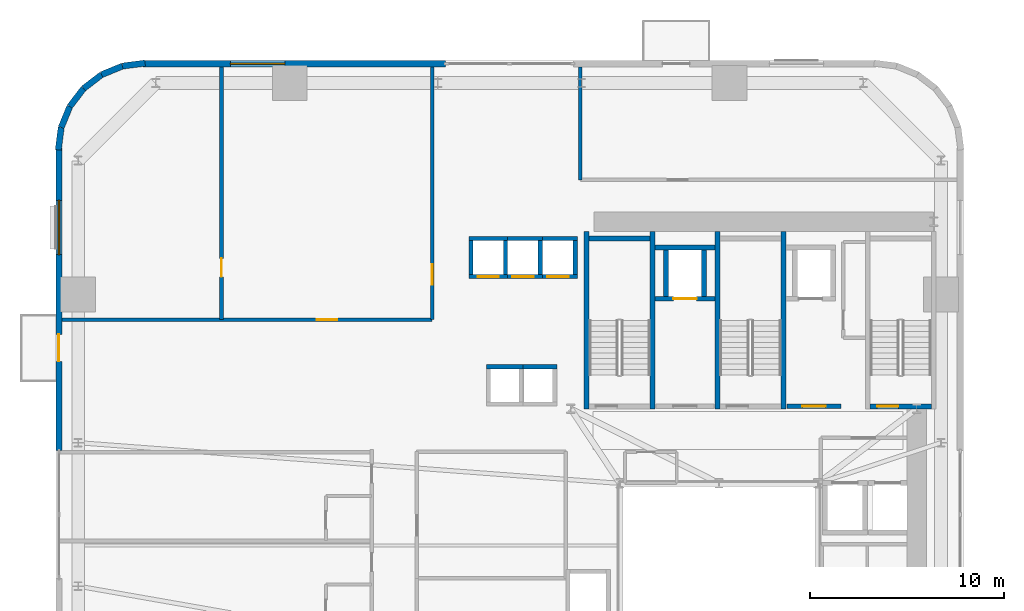
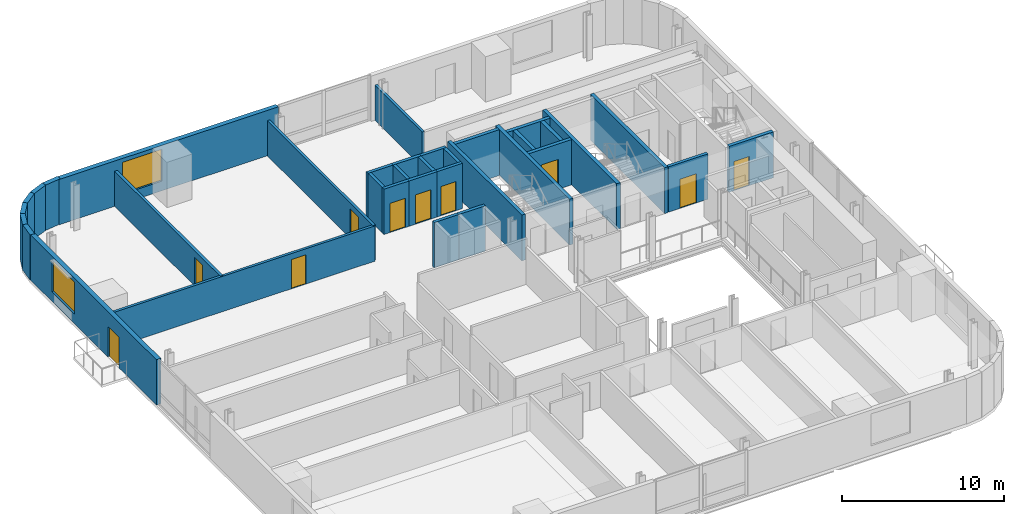
# One storey, part 8 of 11: 35 walls, 10 doors, 2 windows, 12 openings.
"""IFC4 building model written with IfcOpenShell, lengths in metres."""

from ifc_helpers import new_model, si_unit, direction, frame, frame_2d, origin, place, context, subcontext, project, spatial, rectangle, extrude, source, transform, mapped, material, layer, layer_set, type_object, element, fill, save


model = new_model("IFC4")

# Units and contexts
model_context = context("Model", 3, precision=1e-05, world=origin(), true_north=direction((0.0, 1.0)))
body_context = subcontext(model_context, "Body", "Model", "MODEL_VIEW")
ifc_project = project(units=[si_unit("LENGTHUNIT", "METRE"), si_unit("AREAUNIT", "SQUARE_METRE"), si_unit("VOLUMEUNIT", "CUBIC_METRE"), si_unit("PLANEANGLEUNIT", "RADIAN"), si_unit("MASSUNIT", "GRAM", prefix="KILO")], contexts=[model_context])

# Site, building, storey
site_placement = place(None, origin())
site = spatial("IfcSite", under=ifc_project, at=site_placement, CompositionType="ELEMENT")
building_placement = place(site_placement, origin())
building = spatial("IfcBuilding", under=site, at=building_placement, Name="Vardaveli Station Tower", CompositionType="ELEMENT")
storey_placement = place(building_placement, frame((0.0, 0.0, 42.199951171875)))
storey = spatial("IfcBuildingStorey", under=building, at=storey_placement, Name="L10", CompositionType="ELEMENT", Elevation=42.199951171875)

# Wall, opening, window
ifc_material_1 = material(Name="Precast concrete C45/55", Category="concrete")
ifc_layer_1 = layer(ifc_material_1, 0.320068359375, Name="Precast concrete C45/55")
ifc_layer_set_1 = layer_set([ifc_layer_1], Name="Precast concrete C45/55")
wall_type_1 = type_object("IfcWallType", Name="WAL-EXT-STONE-320", PredefinedType="SOLIDWALL", material=ifc_layer_set_1)
shared_shape_1 = source(origin(), body_context, "Body", "SweptSolid", [
    extrude(rectangle(XDim=15.599853515625, YDim=0.320068359375, at=frame_2d((7.7998046875, 0.0))), origin(), (0.0, 0.0, 1.0), 3.41015625),
])
wall_1_placement = place(storey_placement, frame((22.199951171875, 48.43994140625, 0.0), z_axis=(0.0, 0.0, 1.0), x_axis=(-1.0, 0.0, 0.0)))
wall_1 = element("IfcWall", 1, at=wall_1_placement, inside=storey, type_object=wall_type_1, Name="EW-L10-N2", PredefinedType="SOLIDWALL", context=body_context, shape_type="MappedRepresentation", body=[
    mapped(shared_shape_1, transform((0.0, 0.0, 0.0), scale=1.0)),
])
shared_shape_2 = source(origin(), body_context, "Body", "SweptSolid", [
    extrude(rectangle(XDim=2.800048828125, YDim=2.39990234375, at=frame_2d((1.39990234375, 1.199951171875))), frame((0.0, 0.169921875, 0.0), z_axis=(0.0, -1.0, 0.0), x_axis=(1.0, 0.0, 0.0)), (0.0, 0.0, 1.0), 0.340087890625),
])
opening_1_placement = place(wall_1_placement, frame((8.294921875, 0.0, 0.719970703125)))
opening_1 = element("IfcOpeningElement", 2, at=opening_1_placement, cuts=wall_1, Name="Opening W-04", PredefinedType="OPENING", context=body_context, shape_type="MappedRepresentation", body=[
    mapped(shared_shape_2, transform((0.0, 0.0, 0.0), scale=1.0)),
])
ifc_material_2 = material(Name="Low-E solar-control glass", Category="glass")
window_type = type_object("IfcWindowType", Name="WIN-SUITE-2800x2400", PartitioningType="SINGLE_PANEL", PredefinedType="WINDOW", material=ifc_material_2)
shared_shape_3 = source(origin(), body_context, "Body", "SweptSolid", [
    extrude(rectangle(XDim=2.800048828125, YDim=2.39990234375, at=frame_2d((1.39990234375, 1.199951171875))), frame((0.0, 0.030029296875, 0.0), z_axis=(0.0, -1.0, 0.0), x_axis=(1.0, 0.0, 0.0)), (0.0, 0.0, 1.0), 0.06005859375),
])
window_1_placement = place(opening_1_placement, origin())
window_1 = element("IfcWindow", 3, at=window_1_placement, inside=storey, type_object=window_type, Name="WN-L10-N2", OverallHeight=2.39990234375, OverallWidth=2.800048828125, PartitioningType="SINGLE_PANEL", PredefinedType="WINDOW", context=body_context, shape_type="MappedRepresentation", body=[
    mapped(shared_shape_3, transform((0.0, 0.0, 0.0), scale=1.0)),
])
fill(opening_1, window_1)

# Wall, openings, door, window
shared_shape_4 = source(origin(), body_context, "Body", "SweptSolid", [
    extrude(rectangle(XDim=15.60009765625, YDim=0.320068359375, at=frame_2d((7.800048828125, 0.0))), origin(), (0.0, 0.0, 1.0), 3.41015625),
])
wall_2_placement = place(storey_placement, frame((2.260009765625, 44.10009765625, 0.0), z_axis=(0.0, 0.0, 1.0), x_axis=(0.0, -1.0, 0.0)))
wall_2 = element("IfcWall", 4, at=wall_2_placement, inside=storey, type_object=wall_type_1, Name="EW-L10-W1", PredefinedType="SOLIDWALL", context=body_context, shape_type="MappedRepresentation", body=[
    mapped(shared_shape_4, transform((0.0, 0.0, 0.0), scale=1.0)),
])
shared_shape_5 = source(origin(), body_context, "Body", "SweptSolid", [
    extrude(rectangle(XDim=1.39990234375, YDim=2.300048828125, at=frame_2d((0.699951171875, 1.14990234375))), frame((0.0, 0.169921875, 0.0), z_axis=(0.0, -1.0, 0.0), x_axis=(1.0, 0.0, 0.0)), (0.0, 0.0, 1.0), 0.340087890625),
])
opening_2_placement = place(wall_2_placement, frame((9.6103515625, 0.0, 0.0)))
opening_2 = element("IfcOpeningElement", 5, at=opening_2_placement, cuts=wall_2, Name="Opening D-09", PredefinedType="OPENING", context=body_context, shape_type="MappedRepresentation", body=[
    mapped(shared_shape_5, transform((0.0, 0.0, 0.0), scale=1.0)),
])
opening_3_placement = place(wall_2_placement, frame((2.705078125, 0.0, 0.719970703125)))
opening_3 = element("IfcOpeningElement", 6, at=opening_3_placement, cuts=wall_2, Name="Opening W-04", PredefinedType="OPENING", context=body_context, shape_type="MappedRepresentation", body=[
    mapped(shared_shape_2, transform((0.0, 0.0, 0.0), scale=1.0)),
])
ifc_material_3 = material(Name="Thermally broken aluminium glass", Category="aluminium")
door_type_1 = type_object("IfcDoorType", Name="DR-LOG-1400x2300", OperationType="DOUBLE_DOOR_SLIDING", PredefinedType="DOOR", material=ifc_material_3)
shared_shape_6 = source(origin(), body_context, "Body", "SweptSolid", [
    extrude(rectangle(XDim=1.39990234375, YDim=2.300048828125, at=frame_2d((0.699951171875, 1.14990234375))), frame((0.0, 0.02490234375, 0.0), z_axis=(0.0, -1.0, 0.0), x_axis=(1.0, 0.0, 0.0)), (0.0, 0.0, 1.0), 0.050048828125),
])
door_1_placement = place(opening_2_placement, frame((1.39990234375, 0.0, 0.0), z_axis=(0.0, 0.0, 1.0), x_axis=(-1.0, 0.0, 0.0)))
door_1 = element("IfcDoor", 7, at=door_1_placement, inside=storey, type_object=door_type_1, Name="DLG-L10-W", OperationType="DOUBLE_DOOR_SLIDING", OverallHeight=2.300048828125, OverallWidth=1.39990234375, PredefinedType="DOOR", context=body_context, shape_type="MappedRepresentation", body=[
    mapped(shared_shape_6, transform((0.0, 0.0, 0.0), scale=1.0)),
])
fill(opening_2, door_1)
window_2_placement = place(opening_3_placement, origin())
window_2 = element("IfcWindow", 8, at=window_2_placement, inside=storey, type_object=window_type, Name="WN-L10-W1", OverallHeight=2.39990234375, OverallWidth=2.800048828125, PartitioningType="SINGLE_PANEL", PredefinedType="WINDOW", context=body_context, shape_type="MappedRepresentation", body=[
    mapped(shared_shape_3, transform((0.0, 0.0, 0.0), scale=1.0)),
])
fill(opening_3, window_2)

# Walls
shared_shape_7 = source(origin(), body_context, "Body", "SweptSolid", [
    extrude(rectangle(XDim=1.1689453125, YDim=0.320068359375, at=frame_2d((0.58447265625, 0.0))), origin(), (0.0, 0.0, 1.0), 3.41015625),
])
wall_3_placement = place(storey_placement, frame((3.53125, 47.1689453125, 0.0), z_axis=(0.0, 0.0, 1.0), x_axis=(-0.608387696831, -0.793639975269, 0.0)))
element("IfcWall", 9, at=wall_3_placement, inside=storey, type_object=wall_type_1, Name="EW-L10-CR4-4", PredefinedType="SOLIDWALL", context=body_context, shape_type="MappedRepresentation", body=[
    mapped(shared_shape_7, transform((0.0, 0.0, 0.0), scale=1.0)),
])
shared_shape_8 = source(origin(), body_context, "Body", "SweptSolid", [
    extrude(rectangle(XDim=1.168701171875, YDim=0.320068359375, at=frame_2d((0.58447265625, 0.0))), origin(), (0.0, 0.0, 1.0), 3.41015625),
])
wall_4_placement = place(storey_placement, frame((4.458740234375, 47.8798828125, 0.0), z_axis=(0.0, 0.0, 1.0), x_axis=(-0.793663520347, -0.608356981114, 0.0)))
element("IfcWall", 10, at=wall_4_placement, inside=storey, type_object=wall_type_1, Name="EW-L10-CR4-3", PredefinedType="SOLIDWALL", context=body_context, shape_type="MappedRepresentation", body=[
    mapped(shared_shape_8, transform((0.0, 0.0, 0.0), scale=1.0)),
])
shared_shape_9 = source(origin(), body_context, "Body", "SweptSolid", [
    extrude(rectangle(XDim=1.17041015625, YDim=0.320068359375, at=frame_2d((0.585205078125, 0.0))), origin(), (0.0, 0.0, 1.0), 3.41015625),
])
for number, where, z_axis, x_axis, name in (
    (11, (6.700439453125, 48.4755859375, 0.0), (0.0, 0.0, 1.0), (-0.991735963317, -0.128295670475, 0.0), "EW-L10-CR4-1"),
    (12, (2.37451171875, 45.16015625, 0.0), (0.0, 0.0, 1.0), (-0.128295670475, -0.991735963317, 0.0), "EW-L10-CR4-6"),
):
    element("IfcWall", number, at=place(storey_placement, frame(where, z_axis=z_axis, x_axis=x_axis)), inside=storey, type_object=wall_type_1, Name=name, PredefinedType="SOLIDWALL", context=body_context, shape_type="MappedRepresentation", body=[
        mapped(shared_shape_9, transform((0.0, 0.0, 0.0), scale=1.0)),
    ])
shared_shape_10 = source(origin(), body_context, "Body", "SweptSolid", [
    extrude(rectangle(XDim=1.169189453125, YDim=0.320068359375, at=frame_2d((0.58447265625, 0.0))), origin(), (0.0, 0.0, 1.0), 3.41015625),
])
for number, where, z_axis, x_axis, name in (
    (13, (5.539794921875, 48.325439453125, 0.0), (0.0, 0.0, 1.0), (-0.924552646638, -0.381054331552, 0.0), "EW-L10-CR4-2"),
    (14, (2.820068359375, 46.2412109375, 0.0), (0.0, 0.0, 1.0), (-0.381054331552, -0.924552646638, 0.0), "EW-L10-CR4-5"),
):
    element("IfcWall", number, at=place(storey_placement, frame(where, z_axis=z_axis, x_axis=x_axis)), inside=storey, type_object=wall_type_1, Name=name, PredefinedType="SOLIDWALL", context=body_context, shape_type="MappedRepresentation", body=[
        mapped(shared_shape_10, transform((0.0, 0.0, 0.0), scale=1.0)),
    ])
ifc_material_4 = material(Name="Concrete C40/50", Category="concrete")
ifc_layer_2 = layer(ifc_material_4, 0.25, Name="Concrete C40/50")
ifc_layer_set_2 = layer_set([ifc_layer_2], Name="Concrete C40/50")
wall_type_2 = type_object("IfcWallType", Name="WAL-SHAFT-250", PredefinedType="SOLIDWALL", material=ifc_layer_set_2)
shared_shape_11 = source(origin(), body_context, "Body", "SweptSolid", [
    extrude(rectangle(XDim=9.150146484375, YDim=0.25, at=frame_2d((4.5751953125, 0.0))), origin(), (0.0, 0.0, 1.0), 3.449951171875),
])
for number, where, z_axis, x_axis, name in (
    (15, (29.47509765625, 30.64990234375, 0.0), (0.0, 0.0, 1.0), (0.0, 1.0, 0.0), "W-L10-ST-1W"),
    (16, (32.875, 30.64990234375, 0.0), (0.0, 0.0, 1.0), (0.0, 1.0, 0.0), "W-L10-ST-1E"),
    (17, (36.22509765625, 30.64990234375, 0.0), (0.0, 0.0, 1.0), (0.0, 1.0, 0.0), "W-L10-ST-2W"),
    (18, (39.625, 30.64990234375, 0.0), (0.0, 0.0, 1.0), (0.0, 1.0, 0.0), "W-L10-ST-2E"),
):
    element("IfcWall", number, at=place(storey_placement, frame(where, z_axis=z_axis, x_axis=x_axis)), inside=storey, type_object=wall_type_2, Name=name, PredefinedType="SOLIDWALL", context=body_context, shape_type="MappedRepresentation", body=[
        mapped(shared_shape_11, transform((0.0, 0.0, 0.0), scale=1.0)),
    ])
shared_shape_12 = source(origin(), body_context, "Body", "SweptSolid", [
    extrude(rectangle(XDim=3.14990234375, YDim=0.25, at=frame_2d((1.574951171875, 0.0))), origin(), (0.0, 0.0, 1.0), 3.449951171875),
])
wall_5_placement = place(storey_placement, frame((29.60009765625, 39.425048828125, 0.0), z_axis=(0.0, 0.0, 1.0), x_axis=(1.0, 0.0, 0.0)))
element("IfcWall", 19, at=wall_5_placement, inside=storey, type_object=wall_type_2, Name="W-L10-ST-1N", PredefinedType="SOLIDWALL", context=body_context, shape_type="MappedRepresentation", body=[
    mapped(shared_shape_12, transform((0.0, 0.0, 0.0), scale=1.0)),
])

# Wall, opening, door
wall_6_placement = place(storey_placement, frame((44.10009765625, 30.77490234375, 0.0), z_axis=(0.0, 0.0, 1.0), x_axis=(1.0, 0.0, 0.0)))
wall_6 = element("IfcWall", 20, at=wall_6_placement, inside=storey, type_object=wall_type_2, Name="W-L10-ST-3S", PredefinedType="SOLIDWALL", context=body_context, shape_type="MappedRepresentation", body=[
    mapped(shared_shape_12, transform((0.0, 0.0, 0.0), scale=1.0)),
])
shared_shape_13 = source(origin(), body_context, "Body", "SweptSolid", [
    extrude(rectangle(XDim=1.10009765625, YDim=2.199951171875, at=frame_2d((0.550048828125, 1.10009765625))), frame((0.0, 0.135009765625, 0.0), z_axis=(0.0, -1.0, 0.0), x_axis=(1.0, 0.0, 0.0)), (0.0, 0.0, 1.0), 0.27001953125),
])
opening_4_placement = place(wall_6_placement, frame((0.35009765625, 0.0, 0.0)))
opening_4 = element("IfcOpeningElement", 21, at=opening_4_placement, cuts=wall_6, Name="Opening D-04", PredefinedType="OPENING", context=body_context, shape_type="MappedRepresentation", body=[
    mapped(shared_shape_13, transform((0.0, 0.0, 0.0), scale=1.0)),
])
ifc_material_5 = material(Name="Steel smokeproof fire doorset", Category="steel")
door_type_2 = type_object("IfcDoorType", Name="DR-ST-1100x2200", OperationType="NOTDEFINED", PredefinedType="DOOR", material=ifc_material_5)
shared_shape_14 = source(origin(), body_context, "Body", "SweptSolid", [
    extrude(rectangle(XDim=1.10009765625, YDim=2.199951171875, at=frame_2d((0.550048828125, 1.10009765625))), frame((0.0, 0.02490234375, 0.0), z_axis=(0.0, -1.0, 0.0), x_axis=(1.0, 0.0, 0.0)), (0.0, 0.0, 1.0), 0.050048828125),
])
door_2_placement = place(opening_4_placement, origin())
door_2 = element("IfcDoor", 22, at=door_2_placement, inside=storey, type_object=door_type_2, Name="DST-3-L10", OperationType="SINGLE_SWING_LEFT", OverallHeight=2.199951171875, OverallWidth=1.10009765625, PredefinedType="DOOR", context=body_context, shape_type="MappedRepresentation", body=[
    mapped(shared_shape_14, transform((0.0, 0.0, 0.0), scale=1.0)),
])
fill(opening_4, door_2)

ifc_layer_3 = layer(ifc_material_4, 0.219970703125, Name="Concrete C40/50")
ifc_layer_set_3 = layer_set([ifc_layer_3], Name="Concrete C40/50")
wall_type_3 = type_object("IfcWallType", Name="WAL-FFLOBBY-220", PredefinedType="SOLIDWALL", material=ifc_layer_set_3)
shared_shape_15 = source(origin(), body_context, "Body", "SweptSolid", [
    extrude(rectangle(XDim=2.800048828125, YDim=0.219970703125, at=frame_2d((1.39990234375, 0.0))), origin(), (0.0, 0.0, 1.0), 3.41015625),
])
wall_7_placement = place(storey_placement, frame((39.800048828125, 30.780029296875, 0.0), z_axis=(0.0, 0.0, 1.0), x_axis=(1.0, 0.0, 0.0)))
wall_7 = element("IfcWall", 23, at=wall_7_placement, inside=storey, type_object=wall_type_3, Name="W-L10-FFL2S", PredefinedType="SOLIDWALL", context=body_context, shape_type="MappedRepresentation", body=[
    mapped(shared_shape_15, transform((0.0, 0.0, 0.0), scale=1.0)),
])
shared_shape_16 = source(origin(), body_context, "Body", "SweptSolid", [
    extrude(rectangle(XDim=1.199951171875, YDim=2.199951171875, at=frame_2d((0.60009765625, 1.10009765625))), frame((0.0, 0.1201171875, 0.0), z_axis=(0.0, -1.0, 0.0), x_axis=(1.0, 0.0, 0.0)), (0.0, 0.0, 1.0), 0.239990234375),
])
opening_5_placement = place(wall_7_placement, frame((0.800048828125, 0.0, 0.0)))
opening_5 = element("IfcOpeningElement", 24, at=opening_5_placement, cuts=wall_7, Name="Opening D-03", PredefinedType="OPENING", context=body_context, shape_type="MappedRepresentation", body=[
    mapped(shared_shape_16, transform((0.0, 0.0, 0.0), scale=1.0)),
])
door_type_3 = type_object("IfcDoorType", Name="DR-FFL-1200x2200", OperationType="NOTDEFINED", PredefinedType="DOOR", material=ifc_material_5)
shared_shape_17 = source(origin(), body_context, "Body", "SweptSolid", [
    extrude(rectangle(XDim=1.199951171875, YDim=2.199951171875, at=frame_2d((0.60009765625, 1.10009765625))), frame((0.0, 0.02490234375, 0.0), z_axis=(0.0, -1.0, 0.0), x_axis=(1.0, 0.0, 0.0)), (0.0, 0.0, 1.0), 0.050048828125),
])
door_3_placement = place(opening_5_placement, origin())
door_3 = element("IfcDoor", 25, at=door_3_placement, inside=storey, type_object=door_type_3, Name="DFFL2-L10", OperationType="SINGLE_SWING_RIGHT", OverallHeight=2.199951171875, OverallWidth=1.199951171875, PredefinedType="DOOR", context=body_context, shape_type="MappedRepresentation", body=[
    mapped(shared_shape_17, transform((0.0, 0.0, 0.0), scale=1.0)),
])
fill(opening_5, door_3)

shared_shape_18 = source(origin(), body_context, "Body", "SweptSolid", [
    extrude(rectangle(XDim=1.989990234375, YDim=0.219970703125, at=frame_2d((0.9951171875, 0.0))), origin(), (0.0, 0.0, 1.0), 3.41015625),
])
wall_8_placement = place(storey_placement, frame((23.405029296875, 37.465087890625, 0.0), z_axis=(0.0, 0.0, 1.0), x_axis=(1.0, 0.0, 0.0)))
wall_8 = element("IfcWall", 26, at=wall_8_placement, inside=storey, type_object=wall_type_3, Name="SHW-HL1-01-L10-S", PredefinedType="SOLIDWALL", context=body_context, shape_type="MappedRepresentation", body=[
    mapped(shared_shape_18, transform((0.0, 0.0, 0.0), scale=1.0)),
])
shared_shape_19 = source(origin(), body_context, "Body", "SweptSolid", [
    extrude(rectangle(XDim=1.10009765625, YDim=2.199951171875, at=frame_2d((0.550048828125, 1.10009765625))), frame((0.0, 0.1201171875, 0.0), z_axis=(0.0, -1.0, 0.0), x_axis=(1.0, 0.0, 0.0)), (0.0, 0.0, 1.0), 0.239990234375),
])
opening_6_placement = place(wall_8_placement, frame((0.445068359375, 0.0, 0.0)))
opening_6 = element("IfcOpeningElement", 27, at=opening_6_placement, cuts=wall_8, Name="Opening LD-01", PredefinedType="OPENING", context=body_context, shape_type="MappedRepresentation", body=[
    mapped(shared_shape_19, transform((0.0, 0.0, 0.0), scale=1.0)),
])
ifc_material_6 = material(Name="Brushed stainless steel", Category="steel")
door_type_4 = type_object("IfcDoorType", Name="DR-LD-1100x2200", OperationType="DOUBLE_DOOR_SLIDING", PredefinedType="DOOR", material=ifc_material_6)
door_4_placement = place(opening_6_placement, origin())
door_4 = element("IfcDoor", 28, at=door_4_placement, inside=storey, type_object=door_type_4, Name="LD-HL1-01-L10", OperationType="DOUBLE_DOOR_SLIDING", OverallHeight=2.199951171875, OverallWidth=1.10009765625, PredefinedType="DOOR", context=body_context, shape_type="MappedRepresentation", body=[
    mapped(shared_shape_14, transform((0.0, 0.0, 0.0), scale=1.0)),
])
fill(opening_6, door_4)

# Wall
wall_9_placement = place(storey_placement, frame((23.405029296875, 39.43505859375, 0.0), z_axis=(0.0, 0.0, 1.0), x_axis=(1.0, 0.0, 0.0)))
element("IfcWall", 29, at=wall_9_placement, inside=storey, type_object=wall_type_3, Name="SHW-HL1-01-L10-N", PredefinedType="SOLIDWALL", context=body_context, shape_type="MappedRepresentation", body=[
    mapped(shared_shape_18, transform((0.0, 0.0, 0.0), scale=1.0)),
])

# Wall, opening, door
wall_10_placement = place(storey_placement, frame((25.205078125, 37.465087890625, 0.0), z_axis=(0.0, 0.0, 1.0), x_axis=(1.0, 0.0, 0.0)))
wall_10 = element("IfcWall", 30, at=wall_10_placement, inside=storey, type_object=wall_type_3, Name="SHW-HL1-02-L10-S", PredefinedType="SOLIDWALL", context=body_context, shape_type="MappedRepresentation", body=[
    mapped(shared_shape_18, transform((0.0, 0.0, 0.0), scale=1.0)),
])
opening_7_placement = place(wall_10_placement, frame((0.445068359375, 0.0, 0.0)))
opening_7 = element("IfcOpeningElement", 31, at=opening_7_placement, cuts=wall_10, Name="Opening LD-01", PredefinedType="OPENING", context=body_context, shape_type="MappedRepresentation", body=[
    mapped(shared_shape_19, transform((0.0, 0.0, 0.0), scale=1.0)),
])
door_5_placement = place(opening_7_placement, origin())
door_5 = element("IfcDoor", 32, at=door_5_placement, inside=storey, type_object=door_type_4, Name="LD-HL1-02-L10", OperationType="DOUBLE_DOOR_SLIDING", OverallHeight=2.199951171875, OverallWidth=1.10009765625, PredefinedType="DOOR", context=body_context, shape_type="MappedRepresentation", body=[
    mapped(shared_shape_14, transform((0.0, 0.0, 0.0), scale=1.0)),
])
fill(opening_7, door_5)

# Walls
wall_11_placement = place(storey_placement, frame((25.205078125, 39.43505859375, 0.0), z_axis=(0.0, 0.0, 1.0), x_axis=(1.0, 0.0, 0.0)))
element("IfcWall", 33, at=wall_11_placement, inside=storey, type_object=wall_type_3, Name="SHW-HL1-02-L10-N", PredefinedType="SOLIDWALL", context=body_context, shape_type="MappedRepresentation", body=[
    mapped(shared_shape_18, transform((0.0, 0.0, 0.0), scale=1.0)),
])
shared_shape_20 = source(origin(), body_context, "Body", "SweptSolid", [
    extrude(rectangle(XDim=1.75, YDim=0.219970703125, at=frame_2d((0.875, 0.0))), origin(), (0.0, 0.0, 1.0), 3.41015625),
])
for number, where, z_axis, x_axis, name in (
    (34, (23.514892578125, 37.574951171875, 0.0), (0.0, 0.0, 1.0), (0.0, 1.0, 0.0), "SHW-HL1-01-L10-W"),
    (35, (25.284912109375, 37.574951171875, 0.0), (0.0, 0.0, 1.0), (0.0, 1.0, 0.0), "SHW-HL1-01-L10-E"),
    (36, (27.0849609375, 37.574951171875, 0.0), (0.0, 0.0, 1.0), (0.0, 1.0, 0.0), "SHW-HL1-02-L10-E"),
    (37, (28.885009765625, 37.574951171875, 0.0), (0.0, 0.0, 1.0), (0.0, 1.0, 0.0), "SHW-HL1-03-L10-E"),
):
    element("IfcWall", number, at=place(storey_placement, frame(where, z_axis=z_axis, x_axis=x_axis)), inside=storey, type_object=wall_type_3, Name=name, PredefinedType="SOLIDWALL", context=body_context, shape_type="MappedRepresentation", body=[
        mapped(shared_shape_20, transform((0.0, 0.0, 0.0), scale=1.0)),
    ])

# Wall, opening, door
shared_shape_21 = source(origin(), body_context, "Body", "SweptSolid", [
    extrude(rectangle(XDim=1.990234375, YDim=0.219970703125, at=frame_2d((0.9951171875, 0.0))), origin(), (0.0, 0.0, 1.0), 3.41015625),
])
wall_12_placement = place(storey_placement, frame((27.0048828125, 37.465087890625, 0.0), z_axis=(0.0, 0.0, 1.0), x_axis=(1.0, 0.0, 0.0)))
wall_12 = element("IfcWall", 38, at=wall_12_placement, inside=storey, type_object=wall_type_3, Name="SHW-HL1-03-L10-S", PredefinedType="SOLIDWALL", context=body_context, shape_type="MappedRepresentation", body=[
    mapped(shared_shape_21, transform((0.0, 0.0, 0.0), scale=1.0)),
])
opening_8_placement = place(wall_12_placement, frame((0.445068359375, 0.0, 0.0)))
opening_8 = element("IfcOpeningElement", 39, at=opening_8_placement, cuts=wall_12, Name="Opening LD-01", PredefinedType="OPENING", context=body_context, shape_type="MappedRepresentation", body=[
    mapped(shared_shape_19, transform((0.0, 0.0, 0.0), scale=1.0)),
])
door_6_placement = place(opening_8_placement, origin())
door_6 = element("IfcDoor", 40, at=door_6_placement, inside=storey, type_object=door_type_4, Name="LD-HL1-03-L10", OperationType="DOUBLE_DOOR_SLIDING", OverallHeight=2.199951171875, OverallWidth=1.10009765625, PredefinedType="DOOR", context=body_context, shape_type="MappedRepresentation", body=[
    mapped(shared_shape_14, transform((0.0, 0.0, 0.0), scale=1.0)),
])
fill(opening_8, door_6)

# Wall
wall_13_placement = place(storey_placement, frame((27.0048828125, 39.43505859375, 0.0), z_axis=(0.0, 0.0, 1.0), x_axis=(1.0, 0.0, 0.0)))
element("IfcWall", 41, at=wall_13_placement, inside=storey, type_object=wall_type_3, Name="SHW-HL1-03-L10-N", PredefinedType="SOLIDWALL", context=body_context, shape_type="MappedRepresentation", body=[
    mapped(shared_shape_21, transform((0.0, 0.0, 0.0), scale=1.0)),
])

# Wall, opening, door
shared_shape_22 = source(origin(), body_context, "Body", "SweptSolid", [
    extrude(rectangle(XDim=3.10009765625, YDim=0.25, at=frame_2d((1.550048828125, 0.0))), origin(), (0.0, 0.0, 1.0), 3.41015625),
])
wall_14_placement = place(storey_placement, frame((33.0, 36.324951171875, 0.0), z_axis=(0.0, 0.0, 1.0), x_axis=(1.0, 0.0, 0.0)))
wall_14 = element("IfcWall", 42, at=wall_14_placement, inside=storey, type_object=wall_type_2, Name="SHW-FFL-01-L10-S", PredefinedType="SOLIDWALL", context=body_context, shape_type="MappedRepresentation", body=[
    mapped(shared_shape_22, transform((0.0, 0.0, 0.0), scale=1.0)),
])
shared_shape_23 = source(origin(), body_context, "Body", "SweptSolid", [
    extrude(rectangle(XDim=1.199951171875, YDim=2.25, at=frame_2d((0.60009765625, 1.125))), frame((0.0, 0.135009765625, 0.0), z_axis=(0.0, -1.0, 0.0), x_axis=(1.0, 0.0, 0.0)), (0.0, 0.0, 1.0), 0.27001953125),
])
opening_9_placement = place(wall_14_placement, frame((0.949951171875, 0.0, 0.0)))
opening_9 = element("IfcOpeningElement", 43, at=opening_9_placement, cuts=wall_14, Name="Opening LD-02", PredefinedType="OPENING", context=body_context, shape_type="MappedRepresentation", body=[
    mapped(shared_shape_23, transform((0.0, 0.0, 0.0), scale=1.0)),
])
door_type_5 = type_object("IfcDoorType", Name="DR-LD-1200x2250", OperationType="DOUBLE_DOOR_SLIDING", PredefinedType="DOOR", material=ifc_material_6)
shared_shape_24 = source(origin(), body_context, "Body", "SweptSolid", [
    extrude(rectangle(XDim=1.199951171875, YDim=2.25, at=frame_2d((0.60009765625, 1.125))), frame((0.0, 0.02490234375, 0.0), z_axis=(0.0, -1.0, 0.0), x_axis=(1.0, 0.0, 0.0)), (0.0, 0.0, 1.0), 0.050048828125),
])
door_7_placement = place(opening_9_placement, origin())
door_7 = element("IfcDoor", 44, at=door_7_placement, inside=storey, type_object=door_type_5, Name="LD-FFL-01-L10", OperationType="DOUBLE_DOOR_SLIDING", OverallHeight=2.25, OverallWidth=1.199951171875, PredefinedType="DOOR", context=body_context, shape_type="MappedRepresentation", body=[
    mapped(shared_shape_24, transform((0.0, 0.0, 0.0), scale=1.0)),
])
fill(opening_9, door_7)

# Walls
wall_15_placement = place(storey_placement, frame((33.0, 38.97509765625, 0.0), z_axis=(0.0, 0.0, 1.0), x_axis=(1.0, 0.0, 0.0)))
element("IfcWall", 45, at=wall_15_placement, inside=storey, type_object=wall_type_2, Name="SHW-FFL-01-L10-N", PredefinedType="SOLIDWALL", context=body_context, shape_type="MappedRepresentation", body=[
    mapped(shared_shape_22, transform((0.0, 0.0, 0.0), scale=1.0)),
])
shared_shape_25 = source(origin(), body_context, "Body", "SweptSolid", [
    extrude(rectangle(XDim=2.400146484375, YDim=0.25, at=frame_2d((1.2001953125, 0.0))), origin(), (0.0, 0.0, 1.0), 3.41015625),
])
for number, where, z_axis, x_axis, name in (
    (46, (33.574951171875, 36.449951171875, 0.0), (0.0, 0.0, 1.0), (0.0, 1.0, 0.0), "SHW-FFL-01-L10-W"),
    (47, (35.52490234375, 36.449951171875, 0.0), (0.0, 0.0, 1.0), (0.0, 1.0, 0.0), "SHW-FFL-01-L10-E"),
):
    element("IfcWall", number, at=place(storey_placement, frame(where, z_axis=z_axis, x_axis=x_axis)), inside=storey, type_object=wall_type_2, Name=name, PredefinedType="SOLIDWALL", context=body_context, shape_type="MappedRepresentation", body=[
        mapped(shared_shape_25, transform((0.0, 0.0, 0.0), scale=1.0)),
    ])
shared_shape_26 = source(origin(), body_context, "Body", "SweptSolid", [
    extrude(rectangle(XDim=1.89013671875, YDim=0.219970703125, at=frame_2d((0.945068359375, 0.0))), origin(), (0.0, 0.0, 1.0), 3.41015625),
])
for number, where, z_axis, x_axis, name in (
    (48, (24.304931640625, 32.81005859375, 0.0), (0.0, 0.0, 1.0), (1.0, 0.0, 0.0), "SHW-SHU-01-L10-N"),
    (49, (26.054931640625, 32.81005859375, 0.0), (0.0, 0.0, 1.0), (1.0, 0.0, 0.0), "SHW-SHU-02-L10-N"),
):
    element("IfcWall", number, at=place(storey_placement, frame(where, z_axis=z_axis, x_axis=x_axis)), inside=storey, type_object=wall_type_3, Name=name, PredefinedType="SOLIDWALL", context=body_context, shape_type="MappedRepresentation", body=[
        mapped(shared_shape_26, transform((0.0, 0.0, 0.0), scale=1.0)),
    ])

# Wall, opening, door
ifc_material_7 = material(Name="Fire-rated gypsum stud partition")
ifc_layer_4 = layer(ifc_material_7, 0.179931640625, Name="Fire-rated gypsum stud partition")
ifc_layer_set_4 = layer_set([ifc_layer_4], Name="Fire-rated gypsum stud partition")
wall_type_4 = type_object("IfcWallType", Name="WAL-CORR-180", PredefinedType="PARTITIONING", material=ifc_layer_set_4)
shared_shape_27 = source(origin(), body_context, "Body", "SweptSolid", [
    extrude(rectangle(XDim=19.077880859375, YDim=0.179931640625, at=frame_2d((9.5390625, 0.0))), origin(), (0.0, 0.0, 1.0), 2.652099609375),
])
wall_16_placement = place(storey_placement, frame((2.422119140625, 35.25, 0.0), z_axis=(0.0, 0.0, 1.0), x_axis=(1.0, 0.0, 0.0)))
wall_16 = element("IfcWall", 50, at=wall_16_placement, inside=storey, type_object=wall_type_4, Name="W-L10-CNWS", PredefinedType="PARTITIONING", context=body_context, shape_type="MappedRepresentation", body=[
    mapped(shared_shape_27, transform((0.0, 0.0, 0.0), scale=1.0)),
])
shared_shape_28 = source(origin(), body_context, "Body", "SweptSolid", [
    extrude(rectangle(XDim=1.050048828125, YDim=2.199951171875, at=frame_2d((0.52490234375, 1.10009765625))), frame((0.0, 0.10009765625, 0.0), z_axis=(0.0, -1.0, 0.0), x_axis=(1.0, 0.0, 0.0)), (0.0, 0.0, 1.0), 0.199951171875),
])
opening_10_placement = place(wall_16_placement, frame((13.12890625, 0.0, 0.0)))
opening_10 = element("IfcOpeningElement", 51, at=opening_10_placement, cuts=wall_16, Name="Opening D-05", PredefinedType="OPENING", context=body_context, shape_type="MappedRepresentation", body=[
    mapped(shared_shape_28, transform((0.0, 0.0, 0.0), scale=1.0)),
])
ifc_material_8 = material(Name="Walnut veneer acoustic fire door")
door_type_6 = type_object("IfcDoorType", Name="DR-SUITE-1050x2200", OperationType="NOTDEFINED", PredefinedType="DOOR", material=ifc_material_8)
shared_shape_29 = source(origin(), body_context, "Body", "SweptSolid", [
    extrude(rectangle(XDim=1.050048828125, YDim=2.199951171875, at=frame_2d((0.52490234375, 1.10009765625))), frame((0.0, 0.02490234375, 0.0), z_axis=(0.0, -1.0, 0.0), x_axis=(1.0, 0.0, 0.0)), (0.0, 0.0, 1.0), 0.050048828125),
])
door_8_placement = place(opening_10_placement, origin())
door_8 = element("IfcDoor", 52, at=door_8_placement, inside=storey, type_object=door_type_6, Name="D-L10-GNW2", OperationType="SINGLE_SWING_RIGHT", OverallHeight=2.199951171875, OverallWidth=1.050048828125, PredefinedType="DOOR", context=body_context, shape_type="MappedRepresentation", body=[
    mapped(shared_shape_29, transform((0.0, 0.0, 0.0), scale=1.0)),
])
fill(opening_10, door_8)

shared_shape_30 = source(origin(), body_context, "Body", "SweptSolid", [
    extrude(rectangle(XDim=13.028076171875, YDim=0.179931640625, at=frame_2d((6.51416015625, 0.0))), origin(), (0.0, 0.0, 1.0), 2.652099609375),
])
wall_17_placement = place(storey_placement, frame((21.5, 35.25, 0.0), z_axis=(0.0, 0.0, 1.0), x_axis=(0.0, 1.0, 0.0)))
wall_17 = element("IfcWall", 53, at=wall_17_placement, inside=storey, type_object=wall_type_4, Name="W-L10-CNWE", PredefinedType="PARTITIONING", context=body_context, shape_type="MappedRepresentation", body=[
    mapped(shared_shape_30, transform((0.0, 0.0, 0.0), scale=1.0)),
])
opening_11_placement = place(wall_17_placement, frame((1.800048828125, 0.0, 0.0)))
opening_11 = element("IfcOpeningElement", 54, at=opening_11_placement, cuts=wall_17, Name="Opening D-05", PredefinedType="OPENING", context=body_context, shape_type="MappedRepresentation", body=[
    mapped(shared_shape_28, transform((0.0, 0.0, 0.0), scale=1.0)),
])
door_9_placement = place(opening_11_placement, origin())
door_9 = element("IfcDoor", 55, at=door_9_placement, inside=storey, type_object=door_type_6, Name="D-L10-GNWE", OperationType="SINGLE_SWING_LEFT", OverallHeight=2.199951171875, OverallWidth=1.050048828125, PredefinedType="DOOR", context=body_context, shape_type="MappedRepresentation", body=[
    mapped(shared_shape_29, transform((0.0, 0.0, 0.0), scale=1.0)),
])
fill(opening_11, door_9)

# Wall
shared_shape_31 = source(origin(), body_context, "Body", "SweptSolid", [
    extrude(rectangle(XDim=5.828125, YDim=0.179931640625, at=frame_2d((2.9140625, 0.0))), origin(), (0.0, 0.0, 1.0), 2.652099609375),
])
wall_18_placement = place(storey_placement, frame((29.14990234375, 42.449951171875, 0.0), z_axis=(0.0, 0.0, 1.0), x_axis=(0.0, 1.0, 0.0)))
element("IfcWall", 56, at=wall_18_placement, inside=storey, type_object=wall_type_4, Name="W-L10-NPW", PredefinedType="PARTITIONING", context=body_context, shape_type="MappedRepresentation", body=[
    mapped(shared_shape_31, transform((0.0, 0.0, 0.0), scale=1.0)),
])

# Wall, opening, door
ifc_material_9 = material(Name="Acoustic twin-stud gypsum partition")
ifc_layer_5 = layer(ifc_material_9, 0.199951171875, Name="Acoustic twin-stud gypsum partition")
ifc_layer_set_5 = layer_set([ifc_layer_5], Name="Acoustic twin-stud gypsum partition")
wall_type_5 = type_object("IfcWallType", Name="WAL-PARTY-200", PredefinedType="PARTITIONING", material=ifc_layer_set_5)
shared_shape_32 = source(origin(), body_context, "Body", "SweptSolid", [
    extrude(rectangle(XDim=13.028076171875, YDim=0.199951171875, at=frame_2d((6.51416015625, 0.0))), origin(), (0.0, 0.0, 1.0), 2.652099609375),
])
wall_19_placement = place(storey_placement, frame((10.64208984375, 35.25, 0.0), z_axis=(0.0, 0.0, 1.0), x_axis=(0.0, 1.0, 0.0)))
wall_19 = element("IfcWall", 57, at=wall_19_placement, inside=storey, type_object=wall_type_5, Name="W-L10-PNW1", PredefinedType="PARTITIONING", context=body_context, shape_type="MappedRepresentation", body=[
    mapped(shared_shape_32, transform((0.0, 0.0, 0.0), scale=1.0)),
])
shared_shape_33 = source(origin(), body_context, "Body", "SweptSolid", [
    extrude(rectangle(XDim=0.949951171875, YDim=2.14990234375, at=frame_2d((0.47509765625, 1.074951171875))), frame((0.0, 0.10986328125, 0.0), z_axis=(0.0, -1.0, 0.0), x_axis=(1.0, 0.0, 0.0)), (0.0, 0.0, 1.0), 0.219970703125),
])
opening_12_placement = place(wall_19_placement, frame((2.199951171875, 0.0, 0.0)))
opening_12 = element("IfcOpeningElement", 58, at=opening_12_placement, cuts=wall_19, Name="Opening D-11", PredefinedType="OPENING", context=body_context, shape_type="MappedRepresentation", body=[
    mapped(shared_shape_33, transform((0.0, 0.0, 0.0), scale=1.0)),
])
ifc_material_10 = material(Name="Oak veneer internal suite door")
door_type_7 = type_object("IfcDoorType", Name="DR-INT-950x2150", OperationType="NOTDEFINED", PredefinedType="DOOR", material=ifc_material_10)
shared_shape_34 = source(origin(), body_context, "Body", "SweptSolid", [
    extrude(rectangle(XDim=0.949951171875, YDim=2.14990234375, at=frame_2d((0.47509765625, 1.074951171875))), frame((0.0, 0.02490234375, 0.0), z_axis=(0.0, -1.0, 0.0), x_axis=(1.0, 0.0, 0.0)), (0.0, 0.0, 1.0), 0.050048828125),
])
door_10_placement = place(opening_12_placement, origin())
door_10 = element("IfcDoor", 59, at=door_10_placement, inside=storey, type_object=door_type_7, Name="D-L10-GNW1", OperationType="SINGLE_SWING_RIGHT", OverallHeight=2.14990234375, OverallWidth=0.949951171875, PredefinedType="DOOR", context=body_context, shape_type="MappedRepresentation", body=[
    mapped(shared_shape_34, transform((0.0, 0.0, 0.0), scale=1.0)),
])
fill(opening_12, door_10)

save(model, "model.ifc")
